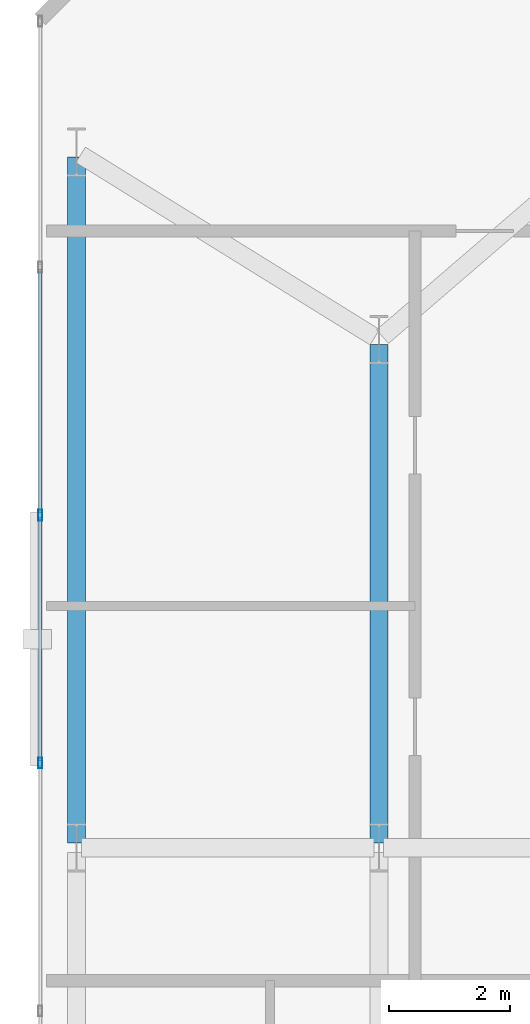
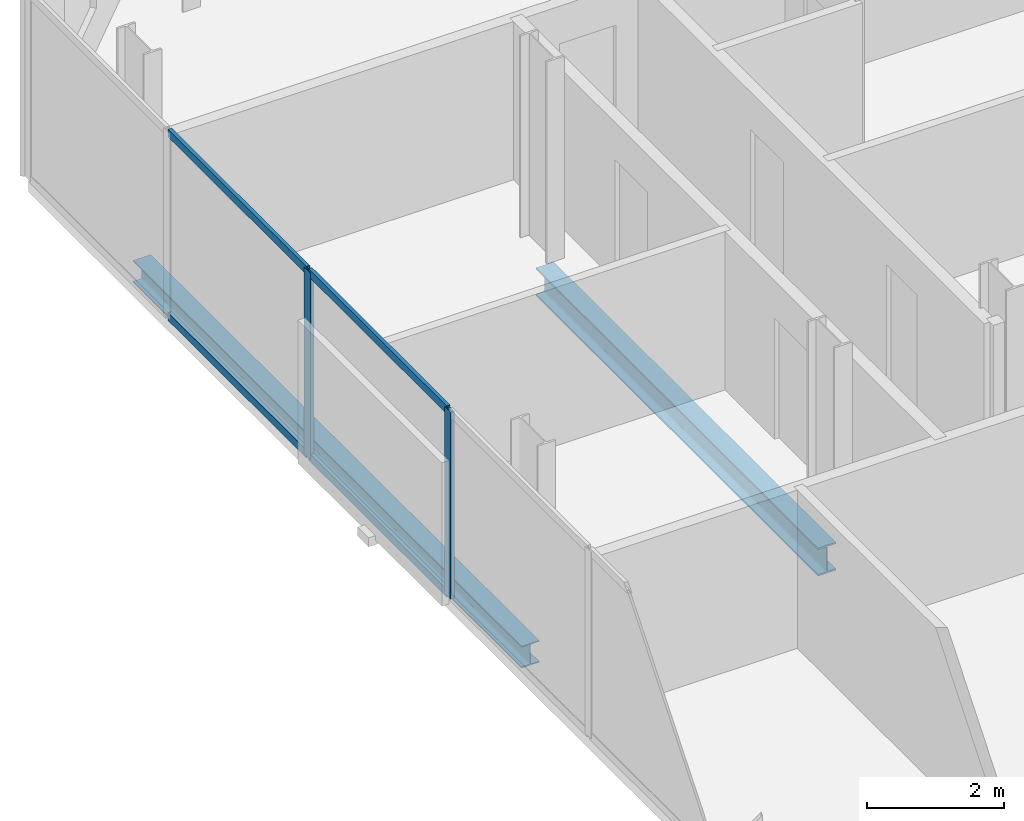
# One storey, part 18 of 33: 6 members, 2 beams, 1 element without a shape of its own.
"""IFC4 building model written with IfcOpenShell, lengths in metres."""

from ifc_helpers import new_model, si_unit, direction, frame, origin, origin_2d, place, context, subcontext, project, spatial, hollow_rectangle, i_section, extrude, material, layer, layer_set, material_profile, profile_set, type_object, element, aggregate, save


model = new_model("IFC4")

# Units and contexts
model_context = context("Model", 3, precision=1e-05, world=origin(), true_north=direction((0.0, 1.0)))
body_context = subcontext(model_context, "Body", "Model", "MODEL_VIEW")
ifc_project = project(units=[si_unit("LENGTHUNIT", "METRE"), si_unit("AREAUNIT", "SQUARE_METRE"), si_unit("VOLUMEUNIT", "CUBIC_METRE"), si_unit("PLANEANGLEUNIT", "RADIAN"), si_unit("MASSUNIT", "GRAM", prefix="KILO")], contexts=[model_context])

# Site, building, storey
site_placement = place(None, origin())
site = spatial("IfcSite", under=ifc_project, at=site_placement, CompositionType="ELEMENT")
building_placement = place(site_placement, origin())
building = spatial("IfcBuilding", under=site, at=building_placement, Name="Catumbela Crestline Tower", CompositionType="ELEMENT")
storey_placement = place(building_placement, frame((0.0, 0.0, 54.6)))
storey = spatial("IfcBuildingStorey", under=building, at=storey_placement, Name="L13", CompositionType="ELEMENT", Elevation=54.6)

# Beam
ifc_material_1 = material(Name="Structural steel S355J2", Category="steel")
ifc_material_profile_1 = material_profile(ifc_material_1, i_section(OverallWidth=0.3, OverallDepth=0.5, WebThickness=0.0145, FlangeThickness=0.028, FilletRadius=0.027, at=origin_2d()), Name="HEB 500")
ifc_profile_set_1 = profile_set([ifc_material_profile_1], Name="Structural steel S355J2")
beam_type_1 = type_object("IfcBeamType", Name="BG-HEB500", PredefinedType="BEAM", material=ifc_profile_set_1)
beam_1_placement = place(storey_placement, frame((5.6, 30.88, -0.51), z_axis=(0.0, 1.0, 0.0), x_axis=(-1.0, 0.0, 0.0)))
element("IfcBeam", 1, at=beam_1_placement, inside=storey, type_object=beam_type_1, Name="L13 Beam BM-L13-SN28", PredefinedType="BEAM", context=body_context, shape_type="SweptSolid", body=[
    extrude(i_section(OverallWidth=0.3, OverallDepth=0.5, WebThickness=0.0145, FlangeThickness=0.028, FilletRadius=0.027, at=origin_2d()), origin(), (0.0, 0.0, 1.0), 8.24),
])

# Curtain wall, members
ifc_material_2 = material(Name="Aluminium alloy AW-6060-T66", Category="aluminium")
ifc_layer = layer(ifc_material_2, 0.18, Name="Aluminium alloy AW-6060-T66")
ifc_layer_set = layer_set([ifc_layer], Name="Aluminium alloy AW-6060-T66")
curtain_wall_type = type_object("IfcCurtainWallType", Name="CWU-Z1", PredefinedType="USERDEFINED", material=ifc_layer_set)
curtain_wall_placement = place(storey_placement, origin())
curtain_wall = element("IfcCurtainWall", 2, at=curtain_wall_placement, inside=storey, type_object=curtain_wall_type, Name="L13 Unitised Curtain Wall CW-L13-E9S1", ObjectType="UNITISED", PredefinedType="USERDEFINED")
ifc_material_profile_2 = material_profile(ifc_material_2, hollow_rectangle(XDim=0.065, YDim=0.18, WallThickness=0.004, at=origin_2d()), Name="ALU 180x65x4")
ifc_profile_set_2 = profile_set([ifc_material_profile_2], Name="Aluminium alloy AW-6060-T66")
member_type_1 = type_object("IfcMemberType", Name="MUL-180X65", PredefinedType="MULLION", material=ifc_profile_set_2)
member_1_placement = place(storey_placement, frame((0.0, 36.3, 0.0), z_axis=(0.0, 0.0, 1.0), x_axis=(1.0, 0.0, 0.0)))
member_1 = element("IfcMember", 3, at=member_1_placement, type_object=member_type_1, Name="CWU-Z1 mullion 3", PredefinedType="MULLION", context=body_context, shape_type="SweptSolid", body=[
    extrude(hollow_rectangle(XDim=0.065, YDim=0.18, WallThickness=0.004, at=origin_2d()), origin(), (0.0, 0.0, 1.0), 3.33),
])
member_2_placement = place(storey_placement, frame((0.0, 32.2, 0.0), z_axis=(0.0, 0.0, 1.0), x_axis=(1.0, 0.0, 0.0)))
member_2 = element("IfcMember", 4, at=member_2_placement, type_object=member_type_1, Name="CWU-Z1 mullion 4", PredefinedType="MULLION", context=body_context, shape_type="SweptSolid", body=[
    extrude(hollow_rectangle(XDim=0.065, YDim=0.18, WallThickness=0.004, at=origin_2d()), origin(), (0.0, 0.0, 1.0), 3.33),
])

# Beam
ifc_material_profile_3 = material_profile(ifc_material_1, i_section(OverallWidth=0.3, OverallDepth=0.39, WebThickness=0.011, FlangeThickness=0.019, FilletRadius=0.027, at=origin_2d()), Name="HEA 400")
ifc_profile_set_3 = profile_set([ifc_material_profile_3], Name="Structural steel S355J2")
beam_type_2 = type_object("IfcBeamType", Name="BS-HEA400", PredefinedType="SPANDREL", material=ifc_profile_set_3)
beam_2_placement = place(storey_placement, frame((0.6, 30.88, -0.455), z_axis=(0.0, 1.0, 0.0), x_axis=(-1.0, 0.0, 0.0)))
element("IfcBeam", 5, at=beam_2_placement, inside=storey, type_object=beam_type_2, Name="L13 Spandrel SP-L13-SN26", PredefinedType="SPANDREL", context=body_context, shape_type="SweptSolid", body=[
    extrude(i_section(OverallWidth=0.3, OverallDepth=0.39, WebThickness=0.011, FlangeThickness=0.019, FilletRadius=0.027, at=origin_2d()), origin(), (0.0, 0.0, 1.0), 11.34),
])

# Member
ifc_material_profile_4 = material_profile(ifc_material_2, hollow_rectangle(XDim=0.06, YDim=0.14, WallThickness=0.004, at=origin_2d()), Name="ALU 140x60x4")
ifc_profile_set_4 = profile_set([ifc_material_profile_4], Name="Aluminium alloy AW-6060-T66")
member_type_2 = type_object("IfcMemberType", Name="TRN-140X60", PredefinedType="USERDEFINED", material=ifc_profile_set_4)
member_3_placement = place(storey_placement, frame((0.0, 40.3675, 0.03), z_axis=(0.0, -1.0, 0.0), x_axis=(1.0, 0.0, 0.0)))
member_3 = element("IfcMember", 6, at=member_3_placement, type_object=member_type_2, Name="CWU-Z1 transom 2.1", ObjectType="TRANSOM", PredefinedType="USERDEFINED", context=body_context, shape_type="SweptSolid", body=[
    extrude(hollow_rectangle(XDim=0.06, YDim=0.14, WallThickness=0.004, at=origin_2d()), origin(), (0.0, 0.0, 1.0), 4.035),
])

member_4_placement = place(storey_placement, frame((0.0, 40.3675, 3.3), z_axis=(0.0, -1.0, 0.0), x_axis=(1.0, 0.0, 0.0)))
member_4 = element("IfcMember", 7, at=member_4_placement, type_object=member_type_2, Name="CWU-Z1 transom 2.2", ObjectType="TRANSOM", PredefinedType="USERDEFINED", context=body_context, shape_type="SweptSolid", body=[
    extrude(hollow_rectangle(XDim=0.06, YDim=0.14, WallThickness=0.004, at=origin_2d()), origin(), (0.0, 0.0, 1.0), 4.035),
])

member_5_placement = place(storey_placement, frame((0.0, 36.2675, 0.03), z_axis=(0.0, -1.0, 0.0), x_axis=(1.0, 0.0, 0.0)))
member_5 = element("IfcMember", 8, at=member_5_placement, type_object=member_type_2, Name="CWU-Z1 transom 3.1", ObjectType="TRANSOM", PredefinedType="USERDEFINED", context=body_context, shape_type="SweptSolid", body=[
    extrude(hollow_rectangle(XDim=0.06, YDim=0.14, WallThickness=0.004, at=origin_2d()), origin(), (0.0, 0.0, 1.0), 4.035),
])

member_6_placement = place(storey_placement, frame((0.0, 36.2675, 3.3), z_axis=(0.0, -1.0, 0.0), x_axis=(1.0, 0.0, 0.0)))
member_6 = element("IfcMember", 9, at=member_6_placement, type_object=member_type_2, Name="CWU-Z1 transom 3.2", ObjectType="TRANSOM", PredefinedType="USERDEFINED", context=body_context, shape_type="SweptSolid", body=[
    extrude(hollow_rectangle(XDim=0.06, YDim=0.14, WallThickness=0.004, at=origin_2d()), origin(), (0.0, 0.0, 1.0), 4.035),
])

aggregate(curtain_wall, [member_1, member_2, member_3, member_4, member_5, member_6])

save(model, "model.ifc")
